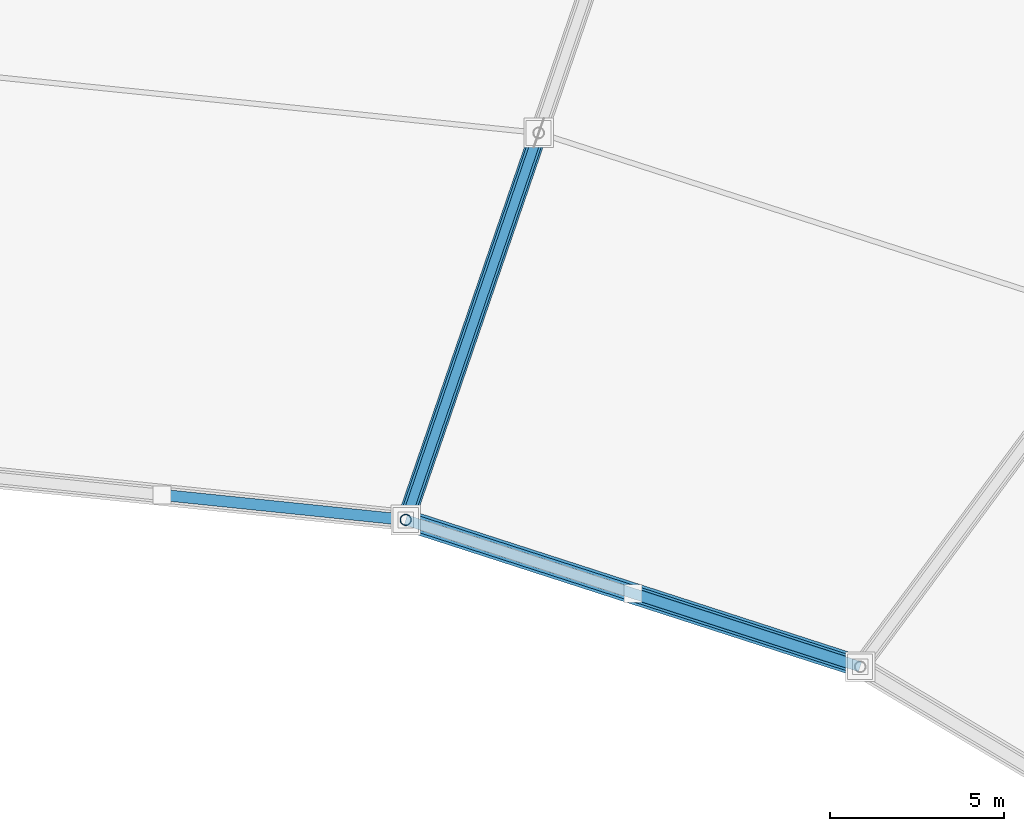
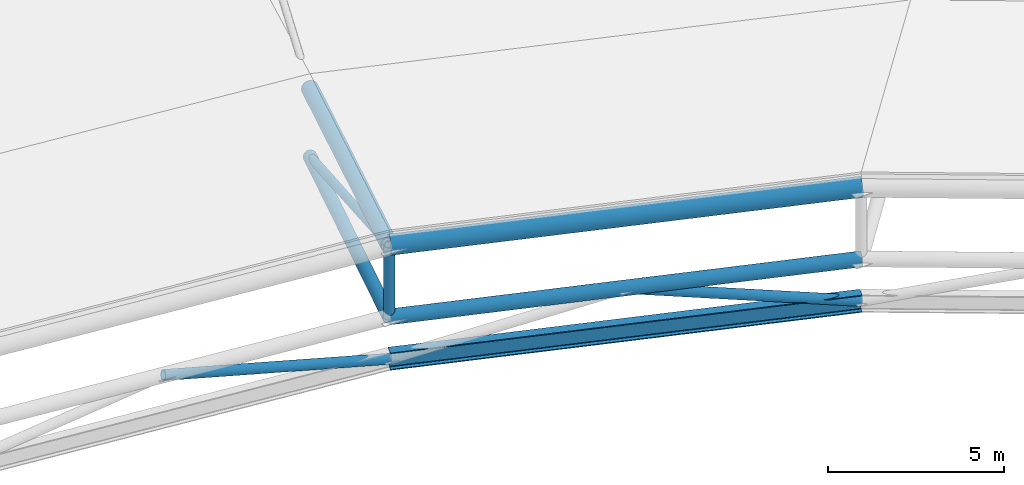
# One storey, part 34 of 115: 8 members, 1 beam.
"""IFC4 building model written with IfcOpenShell, lengths in metres."""

from ifc_helpers import new_model, si_unit, direction, frame, origin, origin_2d, place, context, subcontext, project, spatial, hollow_circle, i_section, extrude, material, material_profile, profile_set, type_object, element, save


model = new_model("IFC4")

# Units and contexts
model_context = context("Model", 3, precision=1e-05, world=origin(), true_north=direction((0.0, 1.0)))
body_context = subcontext(model_context, "Body", "Model", "MODEL_VIEW")
ifc_project = project(units=[si_unit("LENGTHUNIT", "METRE"), si_unit("AREAUNIT", "SQUARE_METRE"), si_unit("VOLUMEUNIT", "CUBIC_METRE"), si_unit("PLANEANGLEUNIT", "RADIAN"), si_unit("MASSUNIT", "GRAM", prefix="KILO")], contexts=[model_context])

# Site, building, storey
site_placement = place(None, origin())
site = spatial("IfcSite", under=ifc_project, at=site_placement, CompositionType="ELEMENT")
building_placement = place(site_placement, origin())
building = spatial("IfcBuilding", under=site, at=building_placement, Name="Zlatoyarsky Gate Stadium", CompositionType="ELEMENT")
storey_placement = place(building_placement, frame((0.0, 0.0, 31.800048828125)))
storey = spatial("IfcBuildingStorey", under=building, at=storey_placement, Name="RF", CompositionType="ELEMENT", Elevation=31.800048828125)

# Members
ifc_material = material(Name="Steel S355", Category="steel")
ifc_material_profile_1 = material_profile(ifc_material, hollow_circle(Radius=0.228515625, WallThickness=0.02490234375, at=origin_2d()), Name="CHS 457X25")
ifc_profile_set_1 = profile_set([ifc_material_profile_1], Name="Steel S355")
member_type_1 = type_object("IfcMemberType", Name="STEEL ARCH BOTTOM CHORD CHS 457X25", PredefinedType="CHORD", material=ifc_profile_set_1)
member_1_placement = place(storey_placement, frame((138.007568359375, 116.489990234375, 6.449951171875), z_axis=(-0.951563800973, 0.307451350098, 0.0), x_axis=(-0.307451350098, -0.951563800973, 0.0)))
element("IfcMember", 1, at=member_1_placement, inside=storey, type_object=member_type_1, Name="Inner tension ring bottom chord 04", PredefinedType="CHORD", context=body_context, shape_type="SweptSolid", body=[
    extrude(hollow_circle(Radius=0.228515625, WallThickness=0.02490234375, at=origin_2d()), origin(), (0.0, 0.0, 1.0), 13.690673828125),
])
ifc_material_profile_2 = material_profile(ifc_material, hollow_circle(Radius=0.203125, WallThickness=0.02001953125, at=origin_2d()), Name="CHS 406.4X20")
ifc_profile_set_2 = profile_set([ifc_material_profile_2], Name="Steel S355")
member_type_2 = type_object("IfcMemberType", Name="STEEL ARCH INNER CHORD CHS 406.4X20", PredefinedType="CHORD", material=ifc_profile_set_2)
member_2_placement = place(storey_placement, frame((128.791015625, 131.79345703125, 3.949951171875), z_axis=(-0.317745051652, -0.924982103597, 0.208437497048), x_axis=(0.945754959233, -0.32488083521, 0.0)))
element("IfcMember", 2, at=member_2_placement, inside=storey, type_object=member_type_2, Name="Radial truss R06 bottom chord 3", PredefinedType="CHORD", context=body_context, shape_type="SweptSolid", body=[
    extrude(hollow_circle(Radius=0.203125, WallThickness=0.02001953125, at=origin_2d()), origin(), (0.0, 0.0, 1.0), 11.993896484375),
])
ifc_material_profile_3 = material_profile(ifc_material, hollow_circle(Radius=0.25390625, WallThickness=0.02490234375, at=origin_2d()), Name="CHS 508X25")
ifc_profile_set_3 = profile_set([ifc_material_profile_3], Name="Steel S355")
member_type_3 = type_object("IfcMemberType", Name="STEEL ARCH TOP CHORD CHS 508X25", PredefinedType="CHORD", material=ifc_profile_set_3)
member_3_placement = place(storey_placement, frame((128.791015625, 131.79345703125, 6.300048828125), z_axis=(-0.316895901971, -0.922510158704, 0.220345171044), x_axis=(0.945754959233, -0.32488083521, 0.0)))
element("IfcMember", 3, at=member_3_placement, inside=storey, type_object=member_type_3, Name="Radial truss R06 top chord 3", PredefinedType="CHORD", context=body_context, shape_type="SweptSolid", body=[
    extrude(hollow_circle(Radius=0.25390625, WallThickness=0.02490234375, at=origin_2d()), origin(), (0.0, 0.0, 1.0), 12.026123046875),
])

# Beam
ifc_material_profile_4 = material_profile(ifc_material, i_section(OverallWidth=0.300048828125, OverallDepth=0.60009765625, WebThickness=0.015380859375, FlangeThickness=0.030029296875, FilletRadius=0.027099609375, at=origin_2d()), Name="HEB 600")
ifc_profile_set_4 = profile_set([ifc_material_profile_4], Name="Steel S355")
beam_type = type_object("IfcBeamType", Name="STEEL INNER CATWALK RING BEAM HEB 600", PredefinedType="USERDEFINED", material=ifc_profile_set_4)
beam_placement = place(storey_placement, frame((138.007568359375, 116.489990234375, 5.0), z_axis=(-0.951563800973, 0.307451350098, 0.0), x_axis=(-0.307451350098, -0.951563800973, 0.0)))
element("IfcBeam", 4, at=beam_placement, inside=storey, type_object=beam_type, Name="Inner lighting catwalk ring beam 04", ObjectType="RING BEAM", PredefinedType="USERDEFINED", context=body_context, shape_type="SweptSolid", body=[
    extrude(i_section(OverallWidth=0.300048828125, OverallDepth=0.60009765625, WebThickness=0.015380859375, FlangeThickness=0.030029296875, FilletRadius=0.027099609375, at=origin_2d()), origin(), (0.0, 0.0, 1.0), 13.690673828125),
])

# Members
ifc_material_profile_5 = material_profile(ifc_material, hollow_circle(Radius=0.136474609375, WallThickness=0.01611328125, at=origin_2d()), Name="CHS 273X16")
ifc_profile_set_5 = profile_set([ifc_material_profile_5], Name="Steel S355")
member_type_4 = type_object("IfcMemberType", Name="STEEL ROOF TRUSS DIAGONAL CHS 273X16", PredefinedType="BRACE", material=ifc_profile_set_5)
member_4_placement = place(storey_placement, frame((128.791015625, 131.79345703125, 3.949951171875), z_axis=(-0.298864631367, -0.870019639883, 0.392104269724), x_axis=(0.945754959233, -0.32488083521, 0.0)))
element("IfcMember", 5, at=member_4_placement, inside=storey, type_object=member_type_4, Name="Radial truss R06 web diagonal 3", PredefinedType="BRACE", context=body_context, shape_type="SweptSolid", body=[
    extrude(hollow_circle(Radius=0.136474609375, WallThickness=0.01611328125, at=origin_2d()), origin(), (0.0, 0.0, 1.0), 12.751708984375),
])
ifc_material_profile_6 = material_profile(ifc_material, hollow_circle(Radius=0.304931640625, WallThickness=0.030029296875, at=origin_2d()), Name="CHS 610X30")
ifc_profile_set_6 = profile_set([ifc_material_profile_6], Name="Steel S355")
member_type_5 = type_object("IfcMemberType", Name="STEEL TENSION RING CHORD CHS 610X30", PredefinedType="CHORD", material=ifc_profile_set_6)
member_5_placement = place(storey_placement, frame((138.007568359375, 116.489990234375, 8.949951171875), z_axis=(-0.951563800973, 0.307451350098, 0.0), x_axis=(-0.307451350098, -0.951563800973, 0.0)))
element("IfcMember", 6, at=member_5_placement, inside=storey, type_object=member_type_5, Name="Inner tension ring top chord 04", PredefinedType="CHORD", context=body_context, shape_type="SweptSolid", body=[
    extrude(hollow_circle(Radius=0.304931640625, WallThickness=0.030029296875, at=origin_2d()), origin(), (0.0, 0.0, 1.0), 13.690673828125),
])
ifc_material_profile_7 = material_profile(ifc_material, hollow_circle(Radius=0.161865234375, WallThickness=0.01611328125, at=origin_2d()), Name="CHS 323.9X16")
ifc_profile_set_7 = profile_set([ifc_material_profile_7], Name="Steel S355")
member_type_6 = type_object("IfcMemberType", Name="STEEL TRUSS WEB STRUT CHS 323.9X16", PredefinedType="STRUT", material=ifc_profile_set_7)
member_6_placement = place(storey_placement, frame((138.007568359375, 116.489990234375, 5.0), z_axis=(-0.930912510858, 0.300767085592, 0.207222241454), x_axis=(-0.307440419999, -0.951567332432, 0.0)))
element("IfcMember", 7, at=member_6_placement, inside=storey, type_object=member_type_6, Name="Catwalk V-hanger strut 04A", PredefinedType="STRUT", context=body_context, shape_type="SweptSolid", body=[
    extrude(hollow_circle(Radius=0.161865234375, WallThickness=0.01611328125, at=origin_2d()), origin(), (0.0, 0.0, 1.0), 6.9970703125),
])
member_7_placement = place(storey_placement, frame((124.97998046875, 120.69921875, 6.449951171875), z_axis=(0.0, 0.0, 1.0), x_axis=(1.0, 0.0, 0.0)))
element("IfcMember", 8, at=member_7_placement, inside=storey, type_object=member_type_6, Name="Radial truss R06 web strut 3", PredefinedType="STRUT", context=body_context, shape_type="SweptSolid", body=[
    extrude(hollow_circle(Radius=0.161865234375, WallThickness=0.01611328125, at=origin_2d()), origin(), (0.0, 0.0, 1.0), 2.5),
])
member_8_placement = place(storey_placement, frame((124.97998046875, 120.69921875, 5.0), z_axis=(-0.974244041973, 0.100041126171, 0.202089880384), x_axis=(-0.102148763722, -0.994769134056, 0.0)))
element("IfcMember", 9, at=member_8_placement, inside=storey, type_object=member_type_6, Name="Catwalk V-hanger strut 05A", PredefinedType="STRUT", context=body_context, shape_type="SweptSolid", body=[
    extrude(hollow_circle(Radius=0.161865234375, WallThickness=0.01611328125, at=origin_2d()), origin(), (0.0, 0.0, 1.0), 7.1748046875),
])

save(model, "model.ifc")
